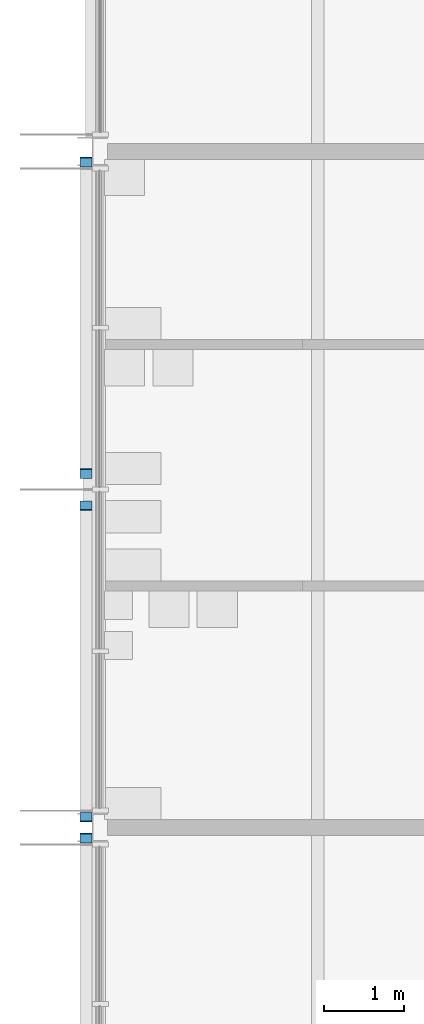
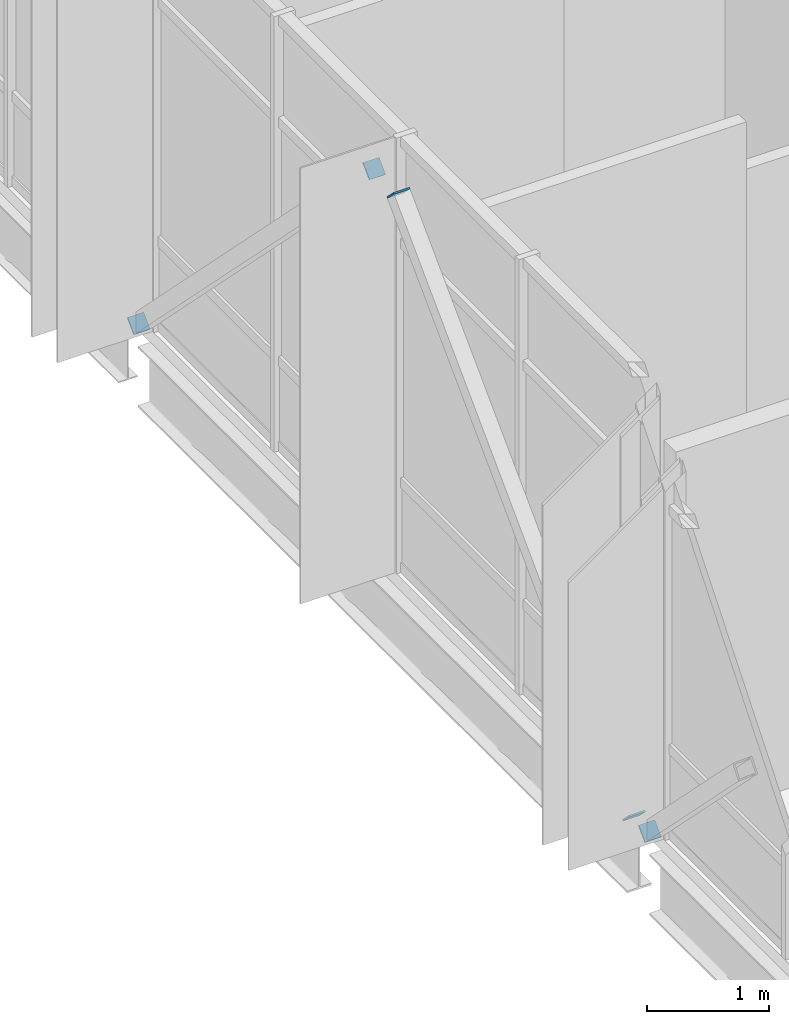
# One storey, part 12 of 15: 5 discrete accessories.
"""IFC4 building model written with IfcOpenShell, lengths in metres."""

from ifc_helpers import new_model, si_unit, direction, frame, origin, origin_2d, place, context, subcontext, project, spatial, rectangle, extrude, material, element, save


model = new_model("IFC4")

# Units and contexts
model_context = context("Model", 3, precision=1e-05, world=origin(), true_north=direction((0.0, 1.0)))
body_context = subcontext(model_context, "Body", "Model", "MODEL_VIEW")
ifc_project = project(units=[si_unit("LENGTHUNIT", "METRE"), si_unit("AREAUNIT", "SQUARE_METRE"), si_unit("VOLUMEUNIT", "CUBIC_METRE"), si_unit("PLANEANGLEUNIT", "RADIAN"), si_unit("MASSUNIT", "GRAM", prefix="KILO")], contexts=[model_context])

# Site, building, storey
site_placement = place(None, origin())
site = spatial("IfcSite", under=ifc_project, at=site_placement, CompositionType="ELEMENT")
building_placement = place(site_placement, origin())
building = spatial("IfcBuilding", under=site, at=building_placement, Name="Hlaing Beacon Police Headquarters", CompositionType="ELEMENT")
storey_placement = place(building_placement, frame((0.0, 0.0, 32.39990234375)))
storey = spatial("IfcBuildingStorey", under=building, at=storey_placement, Name="L07", CompositionType="ELEMENT", Elevation=32.39990234375)

# Discrete accessories
ifc_material = material(Name="Steel ASTM A572 Grade 50", Category="steel")
for number, where, z_axis, x_axis, name in (
    (1, (100.7197265625, 50.264404296875, 0.059814453125), (0.0, 0.704391022459, -0.70981214943), (-1.0, 0.0, 0.0), "Gusset plate GP-075"),
    (2, (100.7197265625, 50.53564453125, 0.059814453125), (0.0, -0.704368633341, -0.709834366853), (1.0, 0.0, 0.0), "Gusset plate GP-077"),
    (3, (100.7197265625, 54.394287109375, 3.948486328125), (0.0, 0.704368633341, 0.709834366853), (-1.0, 0.0, 0.0), "Gusset plate GP-078"),
    (4, (100.7197265625, 58.664306640625, 0.059814453125), (0.0, 0.704368633341, -0.709834366853), (-1.0, 0.0, 0.0), "Gusset plate GP-079"),
    (5, (100.7197265625, 54.8056640625, 3.948486328125), (0.0, -0.704368633341, 0.709834366853), (1.0, 0.0, 0.0), "Gusset plate GP-080"),
):
    element("IfcDiscreteAccessory", number, at=place(storey_placement, frame(where, z_axis=z_axis, x_axis=x_axis)), inside=storey, material=ifc_material, Name=name, PredefinedType="BRACKET", context=body_context, shape_type="SweptSolid", body=[
        extrude(rectangle(XDim=0.15234375, YDim=0.15234375, at=origin_2d()), origin(), (0.0, 0.0, 1.0), 0.01611328125),
    ])

save(model, "model.ifc")
